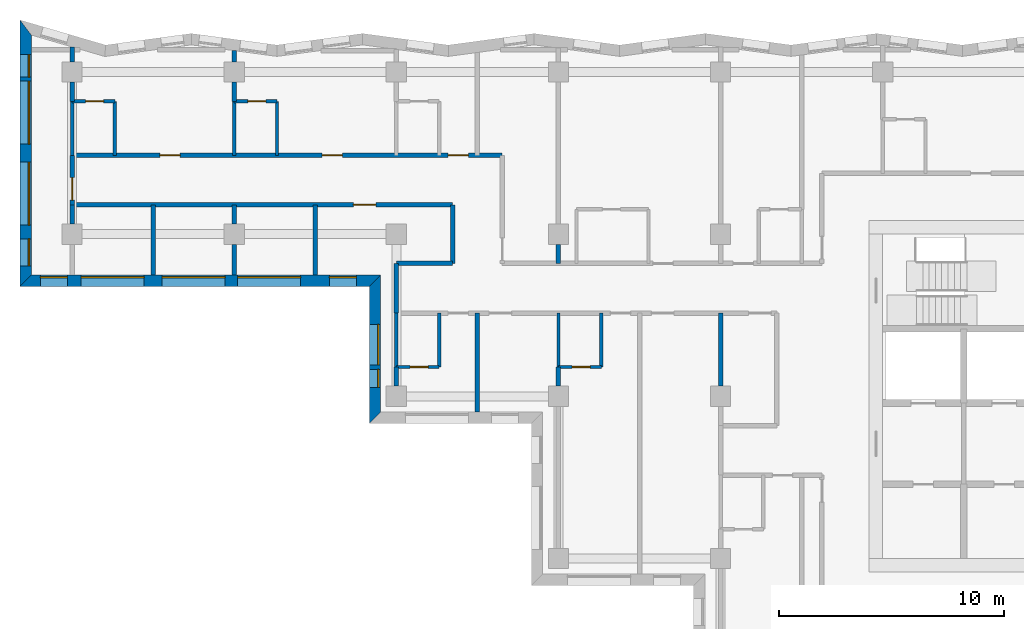
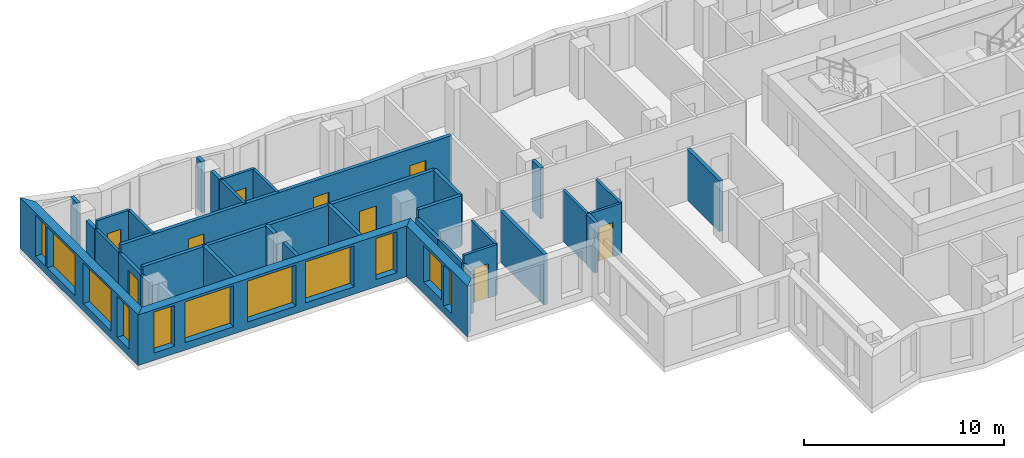
# One storey, part 4 of 12: 35 walls, 11 windows, 9 doors, 20 openings.
"""IFC4 building model written with IfcOpenShell, lengths in metres."""

from ifc_helpers import new_model, si_unit, direction, frame, frame_2d, origin, place, context, subcontext, project, spatial, polyline, rectangle, outline, extrude, material, layer, layer_set, type_object, element, fill, save


model = new_model("IFC4")

# Units and contexts
model_context = context("Model", 3, precision=1e-05, world=origin(), true_north=direction((0.0, 1.0)))
body_context = subcontext(model_context, "Body", "Model", "MODEL_VIEW")
ifc_project = project(units=[si_unit("LENGTHUNIT", "METRE"), si_unit("AREAUNIT", "SQUARE_METRE"), si_unit("VOLUMEUNIT", "CUBIC_METRE"), si_unit("PLANEANGLEUNIT", "RADIAN"), si_unit("MASSUNIT", "GRAM", prefix="KILO")], contexts=[model_context])

# Site, building, storey
site_placement = place(None, origin())
site = spatial("IfcSite", under=ifc_project, at=site_placement, CompositionType="ELEMENT")
building_placement = place(site_placement, origin())
building = spatial("IfcBuilding", under=site, at=building_placement, Name="Windrow Commons", CompositionType="ELEMENT")
storey_placement = place(building_placement, frame((0.0, 0.0, 159.2)))
storey = spatial("IfcBuildingStorey", under=building, at=storey_placement, Name="L43", CompositionType="ELEMENT", Elevation=159.2)

# Wall, openings, windows
ifc_material_1 = material(Name="Brick masonry, red clay brick", Category="masonry")
ifc_layer_1 = layer(ifc_material_1, 0.5)
ifc_layer_set_1 = layer_set([ifc_layer_1], Name="Brick facade wall 500")
wall_type_1 = type_object("IfcWallType", Name="Brick facade wall 500", PredefinedType="SOLIDWALL", material=ifc_layer_set_1)
wall_1_placement = place(storey_placement, frame((19.538, 73.9785, 0.0), z_axis=(0.0, 0.0, 1.0), x_axis=(0.0, -1.0, 0.0)))
wall_1 = element("IfcWall", 1, at=wall_1_placement, inside=storey, type_object=wall_type_1, Name="Brick facade wall L43 35", PredefinedType="SOLIDWALL", context=body_context, shape_type="SweptSolid", body=[
    extrude(outline(polyline([(-0.3335, -0.25), (11.4905, -0.25), (10.9905, 0.25), (0.3335, 0.25), (-0.3335, -0.25)])), origin(), (0.0, 0.0, 1.0), 3.1),
])
opening_1_placement = place(wall_1_placement, frame((2.3785, 0.0, 0.45)))
opening_1 = element("IfcOpeningElement", 2, at=opening_1_placement, cuts=wall_1, Name="Opening W1U", PredefinedType="OPENING", context=body_context, shape_type="SweptSolid", body=[
    extrude(rectangle(XDim=2.8, YDim=2.5, at=frame_2d((1.4, 1.25))), frame((0.0, 0.26, 0.0), z_axis=(0.0, -1.0, 0.0), x_axis=(1.0, 0.0, 0.0)), (0.0, 0.0, 1.0), 0.52),
])
opening_2_placement = place(wall_1_placement, frame((5.9785, 0.0, 0.45)))
opening_2 = element("IfcOpeningElement", 3, at=opening_2_placement, cuts=wall_1, Name="Opening W1U", PredefinedType="OPENING", context=body_context, shape_type="SweptSolid", body=[
    extrude(rectangle(XDim=2.8, YDim=2.5, at=frame_2d((1.4, 1.25))), frame((0.0, 0.26, 0.0), z_axis=(0.0, -1.0, 0.0), x_axis=(1.0, 0.0, 0.0)), (0.0, 0.0, 1.0), 0.52),
])
opening_3_placement = place(wall_1_placement, frame((9.3845, 0.0, 0.45)))
opening_3 = element("IfcOpeningElement", 4, at=opening_3_placement, cuts=wall_1, Name="Opening W7E", PredefinedType="OPENING", context=body_context, shape_type="SweptSolid", body=[
    extrude(rectangle(XDim=1.2, YDim=2.5, at=frame_2d((0.6, 1.25))), frame((0.0, 0.26, 0.0), z_axis=(0.0, -1.0, 0.0), x_axis=(1.0, 0.0, 0.0)), (0.0, 0.0, 1.0), 0.52),
])
opening_4_placement = place(wall_1_placement, frame((1.2032, 0.0, 0.45)))
opening_4 = element("IfcOpeningElement", 5, at=opening_4_placement, cuts=wall_1, Name="Opening W1S", PredefinedType="OPENING", context=body_context, shape_type="SweptSolid", body=[
    extrude(rectangle(XDim=1.0, YDim=2.5, at=frame_2d((0.5, 1.25))), frame((0.0, 0.26, 0.0), z_axis=(0.0, -1.0, 0.0), x_axis=(1.0, 0.0, 0.0)), (0.0, 0.0, 1.0), 0.52),
])
ifc_material_2 = material(Name="Clear float glass in anodised aluminium frame", Category="aluminium")
window_type_1 = type_object("IfcWindowType", Name="Window W1S slit 1000x2500", PartitioningType="SINGLE_PANEL", PredefinedType="WINDOW", material=ifc_material_2)
window_1_placement = place(opening_4_placement, origin())
window_1 = element("IfcWindow", 6, at=window_1_placement, inside=storey, type_object=window_type_1, Name="Window L43 35.3A", OverallHeight=2.5, OverallWidth=1.0, PartitioningType="SINGLE_PANEL", PredefinedType="WINDOW", context=body_context, shape_type="SweptSolid", body=[
    extrude(rectangle(XDim=1.0, YDim=2.5, at=frame_2d((0.5, 1.25))), frame((0.0, 0.18, 0.0), z_axis=(0.0, -1.0, 0.0), x_axis=(1.0, 0.0, 0.0)), (0.0, 0.0, 1.0), 0.06),
])
fill(opening_4, window_1)
ifc_material_3 = material(Name="Clear float glass in anodised aluminium frame", Category="aluminium")
window_type_2 = type_object("IfcWindowType", Name="Window W1U bedroom 2800x2500", PartitioningType="SINGLE_PANEL", PredefinedType="WINDOW", material=ifc_material_3)
window_2_placement = place(opening_1_placement, origin())
window_2 = element("IfcWindow", 7, at=window_2_placement, inside=storey, type_object=window_type_2, Name="Window L43 35.1", OverallHeight=2.5, OverallWidth=2.8, PartitioningType="SINGLE_PANEL", PredefinedType="WINDOW", context=body_context, shape_type="SweptSolid", body=[
    extrude(rectangle(XDim=2.8, YDim=2.5, at=frame_2d((1.4, 1.25))), frame((0.0, 0.18, 0.0), z_axis=(0.0, -1.0, 0.0), x_axis=(1.0, 0.0, 0.0)), (0.0, 0.0, 1.0), 0.06),
])
fill(opening_1, window_2)
window_3_placement = place(opening_2_placement, origin())
window_3 = element("IfcWindow", 8, at=window_3_placement, inside=storey, type_object=window_type_2, Name="Window L43 35.2", OverallHeight=2.5, OverallWidth=2.8, PartitioningType="SINGLE_PANEL", PredefinedType="WINDOW", context=body_context, shape_type="SweptSolid", body=[
    extrude(rectangle(XDim=2.8, YDim=2.5, at=frame_2d((1.4, 1.25))), frame((0.0, 0.18, 0.0), z_axis=(0.0, -1.0, 0.0), x_axis=(1.0, 0.0, 0.0)), (0.0, 0.0, 1.0), 0.06),
])
fill(opening_2, window_3)
ifc_material_4 = material(Name="Clear float glass in anodised aluminium frame", Category="aluminium")
window_type_3 = type_object("IfcWindowType", Name="Window W7 notch 1200x2500", PartitioningType="SINGLE_PANEL", PredefinedType="WINDOW", material=ifc_material_4)
window_4_placement = place(opening_3_placement, origin())
window_4 = element("IfcWindow", 9, at=window_4_placement, inside=storey, type_object=window_type_3, Name="Window L43 35.4", OverallHeight=2.5, OverallWidth=1.2, PartitioningType="SINGLE_PANEL", PredefinedType="WINDOW", context=body_context, shape_type="SweptSolid", body=[
    extrude(rectangle(XDim=1.2, YDim=2.5, at=frame_2d((0.6, 1.25))), frame((0.0, 0.18, 0.0), z_axis=(0.0, -1.0, 0.0), x_axis=(1.0, 0.0, 0.0)), (0.0, 0.0, 1.0), 0.06),
])
fill(opening_3, window_4)

wall_2_placement = place(storey_placement, frame((19.538, 62.738, 0.0), z_axis=(0.0, 0.0, 1.0), x_axis=(1.0, 0.0, 0.0)))
wall_2 = element("IfcWall", 10, at=wall_2_placement, inside=storey, type_object=wall_type_1, Name="Brick facade wall L43 36", PredefinedType="SOLIDWALL", context=body_context, shape_type="SweptSolid", body=[
    extrude(outline(polyline([(-0.25, -0.25), (15.262, -0.25), (15.762, 0.25), (0.25, 0.25), (-0.25, -0.25)])), origin(), (0.0, 0.0, 1.0), 3.1),
])
opening_5_placement = place(wall_2_placement, frame((2.462, 0.0, 0.45)))
opening_5 = element("IfcOpeningElement", 11, at=opening_5_placement, cuts=wall_2, Name="Opening W1U", PredefinedType="OPENING", context=body_context, shape_type="SweptSolid", body=[
    extrude(rectangle(XDim=2.8, YDim=2.5, at=frame_2d((1.4, 1.25))), frame((0.0, 0.26, 0.0), z_axis=(0.0, -1.0, 0.0), x_axis=(1.0, 0.0, 0.0)), (0.0, 0.0, 1.0), 0.52),
])
opening_6_placement = place(wall_2_placement, frame((6.062, 0.0, 0.45)))
opening_6 = element("IfcOpeningElement", 12, at=opening_6_placement, cuts=wall_2, Name="Opening W1U", PredefinedType="OPENING", context=body_context, shape_type="SweptSolid", body=[
    extrude(rectangle(XDim=2.8, YDim=2.5, at=frame_2d((1.4, 1.25))), frame((0.0, 0.26, 0.0), z_axis=(0.0, -1.0, 0.0), x_axis=(1.0, 0.0, 0.0)), (0.0, 0.0, 1.0), 0.52),
])
opening_7_placement = place(wall_2_placement, frame((9.412, 0.0, 0.45)))
opening_7 = element("IfcOpeningElement", 13, at=opening_7_placement, cuts=wall_2, Name="Opening W1U", PredefinedType="OPENING", context=body_context, shape_type="SweptSolid", body=[
    extrude(rectangle(XDim=2.8, YDim=2.5, at=frame_2d((1.4, 1.25))), frame((0.0, 0.26, 0.0), z_axis=(0.0, -1.0, 0.0), x_axis=(1.0, 0.0, 0.0)), (0.0, 0.0, 1.0), 0.52),
])
opening_8_placement = place(wall_2_placement, frame((0.656, 0.0, 0.45)))
opening_8 = element("IfcOpeningElement", 14, at=opening_8_placement, cuts=wall_2, Name="Opening W7E", PredefinedType="OPENING", context=body_context, shape_type="SweptSolid", body=[
    extrude(rectangle(XDim=1.2, YDim=2.5, at=frame_2d((0.6, 1.25))), frame((0.0, 0.26, 0.0), z_axis=(0.0, -1.0, 0.0), x_axis=(1.0, 0.0, 0.0)), (0.0, 0.0, 1.0), 0.52),
])
opening_9_placement = place(wall_2_placement, frame((13.487, 0.0, 0.45)))
opening_9 = element("IfcOpeningElement", 15, at=opening_9_placement, cuts=wall_2, Name="Opening W7E", PredefinedType="OPENING", context=body_context, shape_type="SweptSolid", body=[
    extrude(rectangle(XDim=1.2, YDim=2.5, at=frame_2d((0.6, 1.25))), frame((0.0, 0.26, 0.0), z_axis=(0.0, -1.0, 0.0), x_axis=(1.0, 0.0, 0.0)), (0.0, 0.0, 1.0), 0.52),
])
window_5_placement = place(opening_5_placement, origin())
window_5 = element("IfcWindow", 16, at=window_5_placement, inside=storey, type_object=window_type_2, Name="Window L43 36.1", OverallHeight=2.5, OverallWidth=2.8, PartitioningType="SINGLE_PANEL", PredefinedType="WINDOW", context=body_context, shape_type="SweptSolid", body=[
    extrude(rectangle(XDim=2.8, YDim=2.5, at=frame_2d((1.4, 1.25))), frame((0.0, 0.18, 0.0), z_axis=(0.0, -1.0, 0.0), x_axis=(1.0, 0.0, 0.0)), (0.0, 0.0, 1.0), 0.06),
])
fill(opening_5, window_5)
window_6_placement = place(opening_6_placement, origin())
window_6 = element("IfcWindow", 17, at=window_6_placement, inside=storey, type_object=window_type_2, Name="Window L43 36.2", OverallHeight=2.5, OverallWidth=2.8, PartitioningType="SINGLE_PANEL", PredefinedType="WINDOW", context=body_context, shape_type="SweptSolid", body=[
    extrude(rectangle(XDim=2.8, YDim=2.5, at=frame_2d((1.4, 1.25))), frame((0.0, 0.18, 0.0), z_axis=(0.0, -1.0, 0.0), x_axis=(1.0, 0.0, 0.0)), (0.0, 0.0, 1.0), 0.06),
])
fill(opening_6, window_6)
window_7_placement = place(opening_7_placement, origin())
window_7 = element("IfcWindow", 18, at=window_7_placement, inside=storey, type_object=window_type_2, Name="Window L43 36.3", OverallHeight=2.5, OverallWidth=2.8, PartitioningType="SINGLE_PANEL", PredefinedType="WINDOW", context=body_context, shape_type="SweptSolid", body=[
    extrude(rectangle(XDim=2.8, YDim=2.5, at=frame_2d((1.4, 1.25))), frame((0.0, 0.18, 0.0), z_axis=(0.0, -1.0, 0.0), x_axis=(1.0, 0.0, 0.0)), (0.0, 0.0, 1.0), 0.06),
])
fill(opening_7, window_7)
window_8_placement = place(opening_8_placement, origin())
window_8 = element("IfcWindow", 19, at=window_8_placement, inside=storey, type_object=window_type_3, Name="Window L43 36.4", OverallHeight=2.5, OverallWidth=1.2, PartitioningType="SINGLE_PANEL", PredefinedType="WINDOW", context=body_context, shape_type="SweptSolid", body=[
    extrude(rectangle(XDim=1.2, YDim=2.5, at=frame_2d((0.6, 1.25))), frame((0.0, 0.18, 0.0), z_axis=(0.0, -1.0, 0.0), x_axis=(1.0, 0.0, 0.0)), (0.0, 0.0, 1.0), 0.06),
])
fill(opening_8, window_8)
window_9_placement = place(opening_9_placement, origin())
window_9 = element("IfcWindow", 20, at=window_9_placement, inside=storey, type_object=window_type_3, Name="Window L43 36.5", OverallHeight=2.5, OverallWidth=1.2, PartitioningType="SINGLE_PANEL", PredefinedType="WINDOW", context=body_context, shape_type="SweptSolid", body=[
    extrude(rectangle(XDim=1.2, YDim=2.5, at=frame_2d((0.6, 1.25))), frame((0.0, 0.18, 0.0), z_axis=(0.0, -1.0, 0.0), x_axis=(1.0, 0.0, 0.0)), (0.0, 0.0, 1.0), 0.06),
])
fill(opening_9, window_9)

wall_3_placement = place(storey_placement, frame((35.05, 62.738, 0.0), z_axis=(0.0, 0.0, 1.0), x_axis=(0.0, -1.0, 0.0)))
wall_3 = element("IfcWall", 21, at=wall_3_placement, inside=storey, type_object=wall_type_1, Name="Brick facade wall L43 37", PredefinedType="SOLIDWALL", context=body_context, shape_type="SweptSolid", body=[
    extrude(outline(polyline([(0.25, -0.25), (6.338, -0.25), (5.838, 0.25), (-0.25, 0.25), (0.25, -0.25)])), origin(), (0.0, 0.0, 1.0), 3.1),
])
opening_10_placement = place(wall_3_placement, frame((1.938, 0.0, 0.7)))
opening_10 = element("IfcOpeningElement", 22, at=opening_10_placement, cuts=wall_3, Name="Opening W6", PredefinedType="OPENING", context=body_context, shape_type="SweptSolid", body=[
    extrude(rectangle(XDim=1.8, YDim=2.2, at=frame_2d((0.9, 1.1))), frame((0.0, 0.26, 0.0), z_axis=(0.0, -1.0, 0.0), x_axis=(1.0, 0.0, 0.0)), (0.0, 0.0, 1.0), 0.52),
])
opening_11_placement = place(wall_3_placement, frame((3.938, 0.0, 0.45)))
opening_11 = element("IfcOpeningElement", 23, at=opening_11_placement, cuts=wall_3, Name="Opening W1N", PredefinedType="OPENING", context=body_context, shape_type="SweptSolid", body=[
    extrude(rectangle(XDim=0.8, YDim=2.5, at=frame_2d((0.4, 1.25))), frame((0.0, 0.26, 0.0), z_axis=(0.0, -1.0, 0.0), x_axis=(1.0, 0.0, 0.0)), (0.0, 0.0, 1.0), 0.52),
])
ifc_material_5 = material(Name="Clear float glass in anodised aluminium frame", Category="aluminium")
window_type_4 = type_object("IfcWindowType", Name="Window W1N slit 800x2500", PartitioningType="SINGLE_PANEL", PredefinedType="WINDOW", material=ifc_material_5)
window_10_placement = place(opening_11_placement, origin())
window_10 = element("IfcWindow", 24, at=window_10_placement, inside=storey, type_object=window_type_4, Name="Window L43 37.1B", OverallHeight=2.5, OverallWidth=0.8, PartitioningType="SINGLE_PANEL", PredefinedType="WINDOW", context=body_context, shape_type="SweptSolid", body=[
    extrude(rectangle(XDim=0.8, YDim=2.5, at=frame_2d((0.4, 1.25))), frame((0.0, 0.18, 0.0), z_axis=(0.0, -1.0, 0.0), x_axis=(1.0, 0.0, 0.0)), (0.0, 0.0, 1.0), 0.06),
])
fill(opening_11, window_10)
ifc_material_6 = material(Name="Clear float glass in anodised aluminium frame", Category="aluminium")
window_type_5 = type_object("IfcWindowType", Name="Window W6 crown 1800x2200", PartitioningType="SINGLE_PANEL", PredefinedType="WINDOW", material=ifc_material_6)
window_11_placement = place(opening_10_placement, origin())
window_11 = element("IfcWindow", 25, at=window_11_placement, inside=storey, type_object=window_type_5, Name="Window L43 37.1A", OverallHeight=2.2, OverallWidth=1.8, PartitioningType="SINGLE_PANEL", PredefinedType="WINDOW", context=body_context, shape_type="SweptSolid", body=[
    extrude(rectangle(XDim=1.8, YDim=2.2, at=frame_2d((0.9, 1.1))), frame((0.0, 0.18, 0.0), z_axis=(0.0, -1.0, 0.0), x_axis=(1.0, 0.0, 0.0)), (0.0, 0.0, 1.0), 0.06),
])
fill(opening_10, window_11)

# Wall, openings, doors
ifc_material_7 = material(Name="Blockwork partition", Category="masonry")
ifc_layer_2 = layer(ifc_material_7, 0.2)
ifc_layer_set_2 = layer_set([ifc_layer_2], Name="IW-CORRIDOR-200")
wall_type_2 = type_object("IfcWallType", Name="IW-CORRIDOR-200", PredefinedType="PARTITIONING", material=ifc_layer_set_2)
wall_4_placement = place(storey_placement, frame((21.6, 68.3, 0.0), z_axis=(0.0, 0.0, 1.0), x_axis=(1.0, 0.0, 0.0)))
wall_4 = element("IfcWall", 26, at=wall_4_placement, inside=storey, type_object=wall_type_2, Name="W-L43-W002", PredefinedType="PARTITIONING", context=body_context, shape_type="SweptSolid", body=[
    extrude(rectangle(XDim=19.1, YDim=0.2, at=frame_2d((9.55, 0.0))), origin(), (0.0, 0.0, 1.0), 3.1),
])
opening_12_placement = place(wall_4_placement, frame((3.8994, 0.0, 0.0)))
opening_12 = element("IfcOpeningElement", 27, at=opening_12_placement, cuts=wall_4, Name="Opening D109F", PredefinedType="OPENING", context=body_context, shape_type="SweptSolid", body=[
    extrude(rectangle(XDim=0.9, YDim=2.1, at=frame_2d((0.45, 1.05))), frame((0.0, 0.11, 0.0), z_axis=(0.0, -1.0, 0.0), x_axis=(1.0, 0.0, 0.0)), (0.0, 0.0, 1.0), 0.22),
])
opening_13_placement = place(wall_4_placement, frame((11.0994, 0.0, 0.0)))
opening_13 = element("IfcOpeningElement", 28, at=opening_13_placement, cuts=wall_4, Name="Opening D109F", PredefinedType="OPENING", context=body_context, shape_type="SweptSolid", body=[
    extrude(rectangle(XDim=0.9, YDim=2.1, at=frame_2d((0.45, 1.05))), frame((0.0, 0.11, 0.0), z_axis=(0.0, -1.0, 0.0), x_axis=(1.0, 0.0, 0.0)), (0.0, 0.0, 1.0), 0.22),
])
opening_14_placement = place(wall_4_placement, frame((16.7, 0.0, 0.0)))
opening_14 = element("IfcOpeningElement", 29, at=opening_14_placement, cuts=wall_4, Name="Opening D109S", PredefinedType="OPENING", context=body_context, shape_type="SweptSolid", body=[
    extrude(rectangle(XDim=0.9, YDim=2.1, at=frame_2d((0.45, 1.05))), frame((0.0, 0.11, 0.0), z_axis=(0.0, -1.0, 0.0), x_axis=(1.0, 0.0, 0.0)), (0.0, 0.0, 1.0), 0.22),
])
ifc_material_8 = material(Name="Timber door leaf", Category="wood")
door_type_1 = type_object("IfcDoorType", Name="DT-BEDROOM-900", OperationType="SINGLE_SWING_LEFT", PredefinedType="DOOR", material=ifc_material_8)
door_1_placement = place(opening_12_placement, origin())
door_1 = element("IfcDoor", 30, at=door_1_placement, inside=storey, type_object=door_type_1, Name="D-L43-D004", OperationType="SINGLE_SWING_RIGHT", OverallHeight=2.1, OverallWidth=0.9, PredefinedType="DOOR", context=body_context, shape_type="SweptSolid", body=[
    extrude(rectangle(XDim=0.9, YDim=2.1, at=frame_2d((0.45, 1.05))), frame((0.0, 0.025, 0.0), z_axis=(0.0, -1.0, 0.0), x_axis=(1.0, 0.0, 0.0)), (0.0, 0.0, 1.0), 0.05),
])
fill(opening_12, door_1)
door_2_placement = place(opening_13_placement, origin())
door_2 = element("IfcDoor", 31, at=door_2_placement, inside=storey, type_object=door_type_1, Name="D-L43-D006", OperationType="SINGLE_SWING_RIGHT", OverallHeight=2.1, OverallWidth=0.9, PredefinedType="DOOR", context=body_context, shape_type="SweptSolid", body=[
    extrude(rectangle(XDim=0.9, YDim=2.1, at=frame_2d((0.45, 1.05))), frame((0.0, 0.025, 0.0), z_axis=(0.0, -1.0, 0.0), x_axis=(1.0, 0.0, 0.0)), (0.0, 0.0, 1.0), 0.05),
])
fill(opening_13, door_2)
door_3_placement = place(opening_14_placement, origin())
door_3 = element("IfcDoor", 32, at=door_3_placement, inside=storey, type_object=door_type_1, Name="D-L43-D008", OperationType="SINGLE_SWING_RIGHT", OverallHeight=2.1, OverallWidth=0.9, PredefinedType="DOOR", context=body_context, shape_type="SweptSolid", body=[
    extrude(rectangle(XDim=0.9, YDim=2.1, at=frame_2d((0.45, 1.05))), frame((0.0, 0.025, 0.0), z_axis=(0.0, -1.0, 0.0), x_axis=(1.0, 0.0, 0.0)), (0.0, 0.0, 1.0), 0.05),
])
fill(opening_14, door_3)

# Wall, opening, door
wall_5_placement = place(storey_placement, frame((21.6, 66.1, 0.0), z_axis=(0.0, 0.0, 1.0), x_axis=(1.0, 0.0, 0.0)))
wall_5 = element("IfcWall", 33, at=wall_5_placement, inside=storey, type_object=wall_type_2, Name="W-L43-W003", PredefinedType="PARTITIONING", context=body_context, shape_type="SweptSolid", body=[
    extrude(rectangle(XDim=16.9, YDim=0.2, at=frame_2d((8.45, 0.0))), origin(), (0.0, 0.0, 1.0), 3.1),
])
opening_15_placement = place(wall_5_placement, frame((12.4933, 0.0, 0.0)))
opening_15 = element("IfcOpeningElement", 34, at=opening_15_placement, cuts=wall_5, Name="Opening D310F", PredefinedType="OPENING", context=body_context, shape_type="SweptSolid", body=[
    extrude(rectangle(XDim=1.0, YDim=2.1, at=frame_2d((0.5, 1.05))), frame((0.0, 0.11, 0.0), z_axis=(0.0, -1.0, 0.0), x_axis=(1.0, 0.0, 0.0)), (0.0, 0.0, 1.0), 0.22),
])
ifc_material_9 = material(Name="Timber door leaf", Category="wood")
door_type_2 = type_object("IfcDoorType", Name="DT-AMENITY-1000", OperationType="SINGLE_SWING_LEFT", PredefinedType="DOOR", material=ifc_material_9)
door_4_placement = place(opening_15_placement, origin())
door_4 = element("IfcDoor", 35, at=door_4_placement, inside=storey, type_object=door_type_2, Name="D-L43-D010", OperationType="SINGLE_SWING_RIGHT", OverallHeight=2.1, OverallWidth=1.0, PredefinedType="DOOR", context=body_context, shape_type="SweptSolid", body=[
    extrude(rectangle(XDim=1.0, YDim=2.1, at=frame_2d((0.5, 1.05))), frame((0.0, 0.025, 0.0), z_axis=(0.0, -1.0, 0.0), x_axis=(1.0, 0.0, 0.0)), (0.0, 0.0, 1.0), 0.05),
])
fill(opening_15, door_4)

# Walls
wall_6_placement = place(storey_placement, frame((38.5, 63.502, 0.0), z_axis=(0.0, 0.0, 1.0), x_axis=(0.0, 1.0, 0.0)))
element("IfcWall", 36, at=wall_6_placement, inside=storey, type_object=wall_type_2, Name="W-L43-W066", PredefinedType="PARTITIONING", context=body_context, shape_type="SweptSolid", body=[
    extrude(rectangle(XDim=2.598, YDim=0.2, at=frame_2d((1.299, 0.0))), origin(), (0.0, 0.0, 1.0), 3.1),
])
wall_7_placement = place(storey_placement, frame((36.002, 63.5, 0.0), z_axis=(0.0, 0.0, 1.0), x_axis=(1.0, 0.0, 0.0)))
element("IfcWall", 37, at=wall_7_placement, inside=storey, type_object=wall_type_2, Name="W-L43-W068", PredefinedType="PARTITIONING", context=body_context, shape_type="SweptSolid", body=[
    extrude(rectangle(XDim=2.498, YDim=0.2, at=frame_2d((1.249, 0.0))), origin(), (0.0, 0.0, 1.0), 3.1),
])

# Wall, opening, door
wall_8_placement = place(storey_placement, frame((21.6, 66.1, 0.0), z_axis=(0.0, 0.0, 1.0), x_axis=(0.0, 1.0, 0.0)))
wall_8 = element("IfcWall", 38, at=wall_8_placement, inside=storey, type_object=wall_type_2, Name="W-L43-W106", PredefinedType="PARTITIONING", context=body_context, shape_type="SweptSolid", body=[
    extrude(rectangle(XDim=2.2, YDim=0.2, at=frame_2d((1.1, 0.0))), origin(), (0.0, 0.0, 1.0), 2.6),
])
opening_16_placement = place(wall_8_placement, frame((0.2133, 0.0, 0.0)))
opening_16 = element("IfcOpeningElement", 39, at=opening_16_placement, cuts=wall_8, Name="Opening D310F", PredefinedType="OPENING", context=body_context, shape_type="SweptSolid", body=[
    extrude(rectangle(XDim=1.0, YDim=2.1, at=frame_2d((0.5, 1.05))), frame((0.0, 0.11, 0.0), z_axis=(0.0, -1.0, 0.0), x_axis=(1.0, 0.0, 0.0)), (0.0, 0.0, 1.0), 0.22),
])
door_5_placement = place(opening_16_placement, origin())
door_5 = element("IfcDoor", 40, at=door_5_placement, inside=storey, type_object=door_type_2, Name="D-L43-D000", OperationType="SINGLE_SWING_LEFT", OverallHeight=2.1, OverallWidth=1.0, PredefinedType="DOOR", context=body_context, shape_type="SweptSolid", body=[
    extrude(rectangle(XDim=1.0, YDim=2.1, at=frame_2d((0.5, 1.05))), frame((0.0, 0.025, 0.0), z_axis=(0.0, -1.0, 0.0), x_axis=(1.0, 0.0, 0.0)), (0.0, 0.0, 1.0), 0.05),
])
fill(opening_16, door_5)

# Walls
wall_9_placement = place(storey_placement, frame((36.0, 61.3, 0.0), z_axis=(0.0, 0.0, 1.0), x_axis=(0.0, 1.0, 0.0)))
element("IfcWall", 41, at=wall_9_placement, inside=storey, type_object=wall_type_2, Name="W-L43-W107", PredefinedType="PARTITIONING", context=body_context, shape_type="SweptSolid", body=[
    extrude(rectangle(XDim=2.2, YDim=0.2, at=frame_2d((1.1, 0.0))), origin(), (0.0, 0.0, 1.0), 2.6),
])
ifc_material_10 = material(Name="Blockwork partition", Category="masonry")
ifc_layer_3 = layer(ifc_material_10, 0.15)
ifc_layer_set_3 = layer_set([ifc_layer_3], Name="IW-ENSUITE-150")
wall_type_3 = type_object("IfcWallType", Name="IW-ENSUITE-150", PredefinedType="PARTITIONING", material=ifc_layer_set_3)
wall_10_placement = place(storey_placement, frame((21.6, 68.3, 0.0), z_axis=(0.0, 0.0, 1.0), x_axis=(0.0, 1.0, 0.0)))
element("IfcWall", 42, at=wall_10_placement, inside=storey, type_object=wall_type_3, Name="W-L43-W073", PredefinedType="PARTITIONING", context=body_context, shape_type="SweptSolid", body=[
    extrude(rectangle(XDim=2.4, YDim=0.15, at=frame_2d((1.2, 0.0))), origin(), (0.0, 0.0, 1.0), 2.6),
])
for number, where, z_axis, x_axis, name in (
    (43, (23.5, 68.3, 0.0), (0.0, 0.0, 1.0), (0.0, 1.0, 0.0), "W-L43-W074"),
    (44, (28.8, 68.3, 0.0), (0.0, 0.0, 1.0), (0.0, 1.0, 0.0), "W-L43-W075"),
    (45, (30.7, 68.3, 0.0), (0.0, 0.0, 1.0), (0.0, 1.0, 0.0), "W-L43-W076"),
    (46, (37.9, 58.9, 0.0), (0.0, 0.0, 1.0), (0.0, 1.0, 0.0), "W-L43-W093"),
):
    element("IfcWall", number, at=place(storey_placement, frame(where, z_axis=z_axis, x_axis=x_axis)), inside=storey, type_object=wall_type_3, Name=name, PredefinedType="PARTITIONING", context=body_context, shape_type="SweptSolid", body=[
        extrude(rectangle(XDim=2.4, YDim=0.15, at=frame_2d((1.2, 0.0))), origin(), (0.0, 0.0, 1.0), 3.1),
    ])
wall_11_placement = place(storey_placement, frame((36.0, 58.9, 0.0), z_axis=(0.0, 0.0, 1.0), x_axis=(0.0, 1.0, 0.0)))
element("IfcWall", 47, at=wall_11_placement, inside=storey, type_object=wall_type_3, Name="W-L43-W094", PredefinedType="PARTITIONING", context=body_context, shape_type="SweptSolid", body=[
    extrude(rectangle(XDim=2.4, YDim=0.15, at=frame_2d((1.2, 0.0))), origin(), (0.0, 0.0, 1.0), 2.6),
])
for number, where, z_axis, x_axis, name in (
    (48, (45.1, 58.9, 0.0), (0.0, 0.0, 1.0), (0.0, 1.0, 0.0), "W-L43-W095"),
    (49, (43.2, 58.9, 0.0), (0.0, 0.0, 1.0), (0.0, 1.0, 0.0), "W-L43-W096"),
):
    element("IfcWall", number, at=place(storey_placement, frame(where, z_axis=z_axis, x_axis=x_axis)), inside=storey, type_object=wall_type_3, Name=name, PredefinedType="PARTITIONING", context=body_context, shape_type="SweptSolid", body=[
        extrude(rectangle(XDim=2.4, YDim=0.15, at=frame_2d((1.2, 0.0))), origin(), (0.0, 0.0, 1.0), 3.1),
    ])

# Wall, opening, door
wall_12_placement = place(storey_placement, frame((21.6, 70.7, 0.0), z_axis=(0.0, 0.0, 1.0), x_axis=(1.0, 0.0, 0.0)))
wall_12 = element("IfcWall", 50, at=wall_12_placement, inside=storey, type_object=wall_type_3, Name="W-L43-W117", PredefinedType="PARTITIONING", context=body_context, shape_type="SweptSolid", body=[
    extrude(rectangle(XDim=1.9, YDim=0.15, at=frame_2d((0.95, 0.0))), origin(), (0.0, 0.0, 1.0), 3.1),
])
opening_17_placement = place(wall_12_placement, frame((0.6069, 0.0, 0.0)))
opening_17 = element("IfcOpeningElement", 51, at=opening_17_placement, cuts=wall_12, Name="Opening D208N", PredefinedType="OPENING", context=body_context, shape_type="SweptSolid", body=[
    extrude(rectangle(XDim=0.8, YDim=2.1, at=frame_2d((0.4, 1.05))), frame((0.0, 0.085, 0.0), z_axis=(0.0, -1.0, 0.0), x_axis=(1.0, 0.0, 0.0)), (0.0, 0.0, 1.0), 0.17),
])
ifc_material_11 = material(Name="Timber door leaf", Category="wood")
door_type_3 = type_object("IfcDoorType", Name="DT-ENSUITE-800", OperationType="SINGLE_SWING_LEFT", PredefinedType="DOOR", material=ifc_material_11)
door_6_placement = place(opening_17_placement, origin())
door_6 = element("IfcDoor", 52, at=door_6_placement, inside=storey, type_object=door_type_3, Name="D-L43-D005", OperationType="SINGLE_SWING_RIGHT", OverallHeight=2.1, OverallWidth=0.8, PredefinedType="DOOR", context=body_context, shape_type="SweptSolid", body=[
    extrude(rectangle(XDim=0.8, YDim=2.1, at=frame_2d((0.4, 1.05))), frame((0.0, 0.025, 0.0), z_axis=(0.0, -1.0, 0.0), x_axis=(1.0, 0.0, 0.0)), (0.0, 0.0, 1.0), 0.05),
])
fill(opening_17, door_6)

wall_13_placement = place(storey_placement, frame((28.8, 70.7, 0.0), z_axis=(0.0, 0.0, 1.0), x_axis=(1.0, 0.0, 0.0)))
wall_13 = element("IfcWall", 53, at=wall_13_placement, inside=storey, type_object=wall_type_3, Name="W-L43-W118", PredefinedType="PARTITIONING", context=body_context, shape_type="SweptSolid", body=[
    extrude(rectangle(XDim=1.9, YDim=0.15, at=frame_2d((0.95, 0.0))), origin(), (0.0, 0.0, 1.0), 3.1),
])
opening_18_placement = place(wall_13_placement, frame((0.6069, 0.0, 0.0)))
opening_18 = element("IfcOpeningElement", 54, at=opening_18_placement, cuts=wall_13, Name="Opening D208N", PredefinedType="OPENING", context=body_context, shape_type="SweptSolid", body=[
    extrude(rectangle(XDim=0.8, YDim=2.1, at=frame_2d((0.4, 1.05))), frame((0.0, 0.085, 0.0), z_axis=(0.0, -1.0, 0.0), x_axis=(1.0, 0.0, 0.0)), (0.0, 0.0, 1.0), 0.17),
])
door_7_placement = place(opening_18_placement, origin())
door_7 = element("IfcDoor", 55, at=door_7_placement, inside=storey, type_object=door_type_3, Name="D-L43-D007", OperationType="SINGLE_SWING_RIGHT", OverallHeight=2.1, OverallWidth=0.8, PredefinedType="DOOR", context=body_context, shape_type="SweptSolid", body=[
    extrude(rectangle(XDim=0.8, YDim=2.1, at=frame_2d((0.4, 1.05))), frame((0.0, 0.025, 0.0), z_axis=(0.0, -1.0, 0.0), x_axis=(1.0, 0.0, 0.0)), (0.0, 0.0, 1.0), 0.05),
])
fill(opening_18, door_7)

wall_14_placement = place(storey_placement, frame((36.0, 58.9, 0.0), z_axis=(0.0, 0.0, 1.0), x_axis=(1.0, 0.0, 0.0)))
wall_14 = element("IfcWall", 56, at=wall_14_placement, inside=storey, type_object=wall_type_3, Name="W-L43-W120", PredefinedType="PARTITIONING", context=body_context, shape_type="SweptSolid", body=[
    extrude(rectangle(XDim=1.9, YDim=0.15, at=frame_2d((0.95, 0.0))), origin(), (0.0, 0.0, 1.0), 3.1),
])
opening_19_placement = place(wall_14_placement, frame((0.6069, 0.0, 0.0)))
opening_19 = element("IfcOpeningElement", 57, at=opening_19_placement, cuts=wall_14, Name="Opening D208N", PredefinedType="OPENING", context=body_context, shape_type="SweptSolid", body=[
    extrude(rectangle(XDim=0.8, YDim=2.1, at=frame_2d((0.4, 1.05))), frame((0.0, 0.085, 0.0), z_axis=(0.0, -1.0, 0.0), x_axis=(1.0, 0.0, 0.0)), (0.0, 0.0, 1.0), 0.17),
])
door_8_placement = place(opening_19_placement, origin())
door_8 = element("IfcDoor", 58, at=door_8_placement, inside=storey, type_object=door_type_3, Name="D-L43-D012", OperationType="SINGLE_SWING_RIGHT", OverallHeight=2.1, OverallWidth=0.8, PredefinedType="DOOR", context=body_context, shape_type="SweptSolid", body=[
    extrude(rectangle(XDim=0.8, YDim=2.1, at=frame_2d((0.4, 1.05))), frame((0.0, 0.025, 0.0), z_axis=(0.0, -1.0, 0.0), x_axis=(1.0, 0.0, 0.0)), (0.0, 0.0, 1.0), 0.05),
])
fill(opening_19, door_8)

wall_15_placement = place(storey_placement, frame((43.2, 58.9, 0.0), z_axis=(0.0, 0.0, 1.0), x_axis=(1.0, 0.0, 0.0)))
wall_15 = element("IfcWall", 59, at=wall_15_placement, inside=storey, type_object=wall_type_3, Name="W-L43-W121", PredefinedType="PARTITIONING", context=body_context, shape_type="SweptSolid", body=[
    extrude(rectangle(XDim=1.9, YDim=0.15, at=frame_2d((0.95, 0.0))), origin(), (0.0, 0.0, 1.0), 3.1),
])
opening_20_placement = place(wall_15_placement, frame((0.6069, 0.0, 0.0)))
opening_20 = element("IfcOpeningElement", 60, at=opening_20_placement, cuts=wall_15, Name="Opening D208N", PredefinedType="OPENING", context=body_context, shape_type="SweptSolid", body=[
    extrude(rectangle(XDim=0.8, YDim=2.1, at=frame_2d((0.4, 1.05))), frame((0.0, 0.085, 0.0), z_axis=(0.0, -1.0, 0.0), x_axis=(1.0, 0.0, 0.0)), (0.0, 0.0, 1.0), 0.17),
])
door_9_placement = place(opening_20_placement, origin())
door_9 = element("IfcDoor", 61, at=door_9_placement, inside=storey, type_object=door_type_3, Name="D-L43-D015", OperationType="SINGLE_SWING_RIGHT", OverallHeight=2.1, OverallWidth=0.8, PredefinedType="DOOR", context=body_context, shape_type="SweptSolid", body=[
    extrude(rectangle(XDim=0.8, YDim=2.1, at=frame_2d((0.4, 1.05))), frame((0.0, 0.025, 0.0), z_axis=(0.0, -1.0, 0.0), x_axis=(1.0, 0.0, 0.0)), (0.0, 0.0, 1.0), 0.05),
])
fill(opening_20, door_9)

# Walls
ifc_material_12 = material(Name="Blockwork partition", Category="masonry")
ifc_layer_4 = layer(ifc_material_12, 0.2)
ifc_layer_set_4 = layer_set([ifc_layer_4], Name="IW-PARTY-200")
wall_type_4 = type_object("IfcWallType", Name="IW-PARTY-200", PredefinedType="PARTITIONING", material=ifc_layer_set_4)
wall_16_placement = place(storey_placement, frame((39.6, 56.9, 0.0), z_axis=(0.0, 0.0, 1.0), x_axis=(0.0, 1.0, 0.0)))
element("IfcWall", 62, at=wall_16_placement, inside=storey, type_object=wall_type_4, Name="W-L43-W040", PredefinedType="PARTITIONING", context=body_context, shape_type="SweptSolid", body=[
    extrude(rectangle(XDim=4.4, YDim=0.2, at=frame_2d((2.2, 0.0))), origin(), (0.0, 0.0, 1.0), 3.1),
])
wall_17_placement = place(storey_placement, frame((50.4, 58.05, 0.0), z_axis=(0.0, 0.0, 1.0), x_axis=(0.0, 1.0, 0.0)))
element("IfcWall", 63, at=wall_17_placement, inside=storey, type_object=wall_type_4, Name="W-L43-W048", PredefinedType="PARTITIONING", context=body_context, shape_type="SweptSolid", body=[
    extrude(rectangle(XDim=3.25, YDim=0.2, at=frame_2d((1.625, 0.0))), origin(), (0.0, 0.0, 1.0), 3.1),
])
for number, where, z_axis, x_axis, name in (
    (64, (25.2, 62.988, 0.0), (0.0, 0.0, 1.0), (0.0, 1.0, 0.0), "W-L43-W053"),
    (65, (32.4, 62.988, 0.0), (0.0, 0.0, 1.0), (0.0, 1.0, 0.0), "W-L43-W054"),
):
    element("IfcWall", number, at=place(storey_placement, frame(where, z_axis=z_axis, x_axis=x_axis)), inside=storey, type_object=wall_type_4, Name=name, PredefinedType="PARTITIONING", context=body_context, shape_type="SweptSolid", body=[
        extrude(rectangle(XDim=3.112, YDim=0.2, at=frame_2d((1.556, 0.0))), origin(), (0.0, 0.0, 1.0), 3.1),
    ])
wall_18_placement = place(storey_placement, frame((28.8, 62.988, 0.0), z_axis=(0.0, 0.0, 1.0), x_axis=(0.0, 1.0, 0.0)))
element("IfcWall", 66, at=wall_18_placement, inside=storey, type_object=wall_type_4, Name="W-L43-W138", PredefinedType="PARTITIONING", context=body_context, shape_type="SweptSolid", body=[
    extrude(rectangle(XDim=1.362, YDim=0.2, at=frame_2d((0.681, 0.0))), origin(), (0.0, 0.0, 1.0), 3.1),
])
wall_19_placement = place(storey_placement, frame((36.0, 58.05, 0.0), z_axis=(0.0, 0.0, 1.0), x_axis=(0.0, 1.0, 0.0)))
element("IfcWall", 67, at=wall_19_placement, inside=storey, type_object=wall_type_4, Name="W-L43-W142", PredefinedType="PARTITIONING", context=body_context, shape_type="SweptSolid", body=[
    extrude(rectangle(XDim=0.85, YDim=0.2, at=frame_2d((0.425, 0.0))), origin(), (0.0, 0.0, 1.0), 2.6),
])
wall_20_placement = place(storey_placement, frame((43.2, 58.05, 0.0), z_axis=(0.0, 0.0, 1.0), x_axis=(0.0, 1.0, 0.0)))
element("IfcWall", 68, at=wall_20_placement, inside=storey, type_object=wall_type_4, Name="W-L43-W143", PredefinedType="PARTITIONING", context=body_context, shape_type="SweptSolid", body=[
    extrude(rectangle(XDim=0.85, YDim=0.2, at=frame_2d((0.425, 0.0))), origin(), (0.0, 0.0, 1.0), 3.1),
])
for number, where, z_axis, x_axis, name in (
    (69, (21.6, 65.25, 0.0), (0.0, 0.0, 1.0), (0.0, 1.0, 0.0), "W-L43-W146"),
    (70, (21.6, 70.7, 0.0), (0.0, 0.0, 1.0), (0.0, 1.0, 0.0), "W-L43-W147"),
):
    element("IfcWall", number, at=place(storey_placement, frame(where, z_axis=z_axis, x_axis=x_axis)), inside=storey, type_object=wall_type_4, Name=name, PredefinedType="PARTITIONING", context=body_context, shape_type="SweptSolid", body=[
        extrude(rectangle(XDim=0.85, YDim=0.2, at=frame_2d((0.425, 0.0))), origin(), (0.0, 0.0, 1.0), 2.6),
    ])
for number, where, z_axis, x_axis, name in (
    (71, (28.8, 65.25, 0.0), (0.0, 0.0, 1.0), (0.0, 1.0, 0.0), "W-L43-W148"),
    (72, (28.8, 70.7, 0.0), (0.0, 0.0, 1.0), (0.0, 1.0, 0.0), "W-L43-W149"),
    (73, (43.2, 63.5, 0.0), (0.0, 0.0, 1.0), (0.0, 1.0, 0.0), "W-L43-W151"),
):
    element("IfcWall", number, at=place(storey_placement, frame(where, z_axis=z_axis, x_axis=x_axis)), inside=storey, type_object=wall_type_4, Name=name, PredefinedType="PARTITIONING", context=body_context, shape_type="SweptSolid", body=[
        extrude(rectangle(XDim=0.85, YDim=0.2, at=frame_2d((0.425, 0.0))), origin(), (0.0, 0.0, 1.0), 3.1),
    ])
wall_21_placement = place(storey_placement, frame((21.6, 72.45, 0.0), z_axis=(0.0, 0.0, 1.0), x_axis=(0.0, 1.0, 0.0)))
element("IfcWall", 74, at=wall_21_placement, inside=storey, type_object=wall_type_4, Name="W-L43-W164", PredefinedType="PARTITIONING", context=body_context, shape_type="SweptSolid", body=[
    extrude(rectangle(XDim=0.6653, YDim=0.2, at=frame_2d((0.3327, 0.0))), origin(), (0.0, 0.0, 1.0), 3.1),
])
wall_22_placement = place(storey_placement, frame((28.8, 72.45, 0.0), z_axis=(0.0, 0.0, 1.0), x_axis=(0.0, 1.0, 0.0)))
element("IfcWall", 75, at=wall_22_placement, inside=storey, type_object=wall_type_4, Name="W-L43-W192", PredefinedType="PARTITIONING", context=body_context, shape_type="SweptSolid", body=[
    extrude(rectangle(XDim=0.5013, YDim=0.2, at=frame_2d((0.2506, 0.0))), origin(), (0.0, 0.0, 1.0), 3.1),
])

save(model, "model.ifc")
